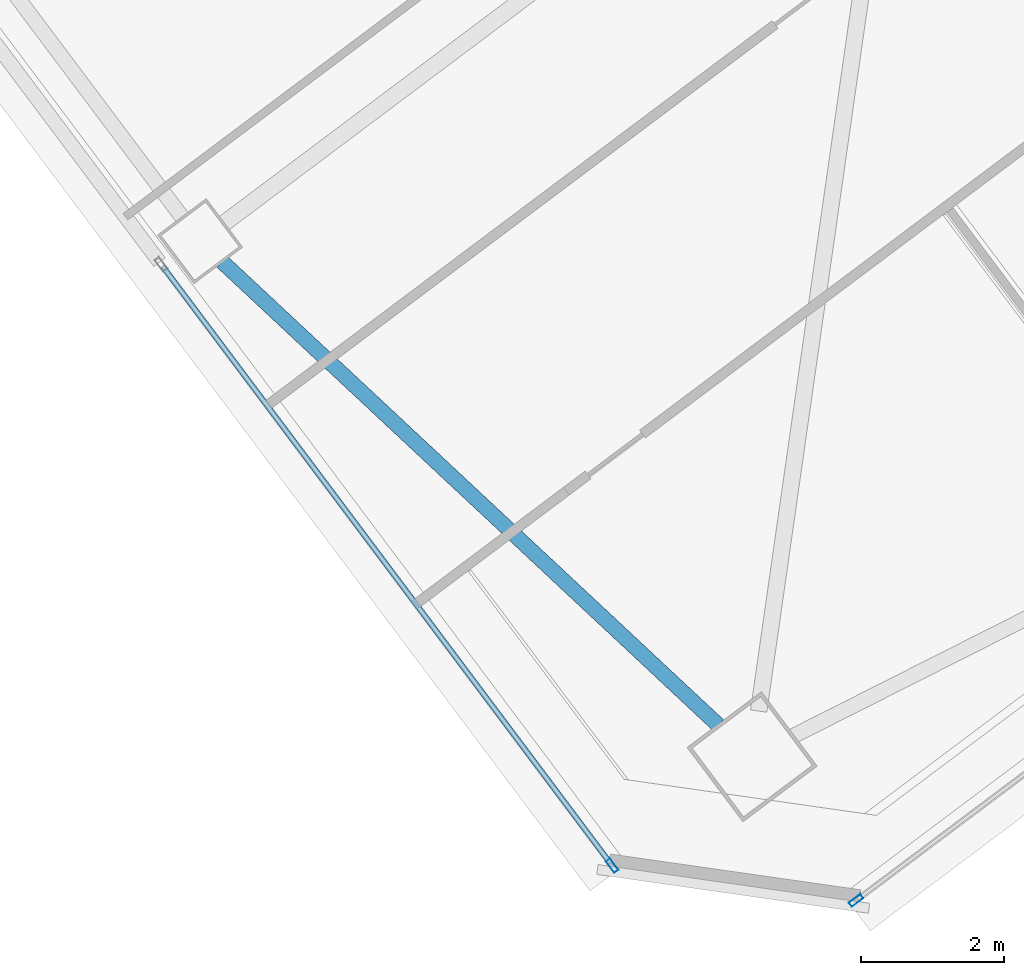
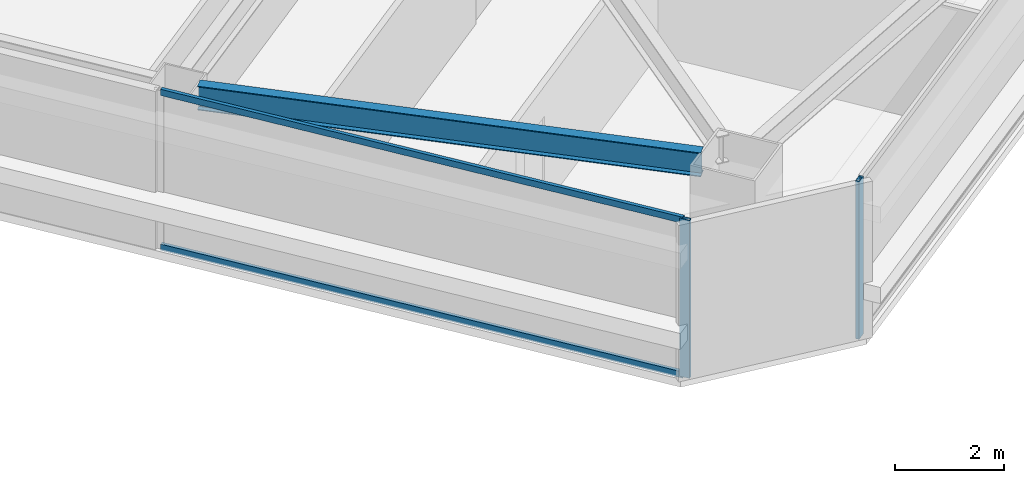
# One storey, part 17 of 41: 4 members, 1 beam, 2 elements without a shape of their own.
"""IFC4 building model written with IfcOpenShell, lengths in metres."""

import ifcopenshell
import ifcopenshell.guid

model = None  # the IFC model being written
_history = None  # IfcOwnerHistory: only IFC2X3 demands one
_inside = {}  # id of a spatial element -> (the spatial element, [elements in it])
_under = {}  # id of a project, library or spatial element -> (it, [spatial elements below it])
_declared = {}  # id of a project -> (the project, [libraries it declares])
_typed = {}  # id of a type object -> (the type object, [elements of that type])
_made_of = {}  # id of a material, layer set ... -> (it, [elements and type objects made of it])


def new_model(schema):
    """Start an empty IFC model of exactly this schema.

    Asked for "IFC4X3", IfcOpenShell would pick the latest addendum, in which some entities
    have other attributes; the version numbers below select the first issue.
    IFC2X3 requires an IfcOwnerHistory on every rooted entity: one is made here for all.
    """
    global model, _history
    if schema == "IFC4X3":
        model = ifcopenshell.file(schema_version=(4, 3, 0, 0))
    else:
        model = ifcopenshell.file(schema=schema)
    _inside.clear()
    _under.clear()
    _declared.clear()
    _typed.clear()
    _made_of.clear()
    _history = None
    if model.schema == "IFC2X3":
        org = make("IfcOrganization", Name="unknown")
        user = make(
            "IfcPersonAndOrganization",
            ThePerson=make("IfcPerson", FamilyName="unknown"),
            TheOrganization=org,
        )
        app = make(
            "IfcApplication",
            ApplicationDeveloper=org,
            Version="unknown",
            ApplicationFullName="unknown",
            ApplicationIdentifier="unknown",
        )
        _history = make(
            "IfcOwnerHistory",
            OwningUser=user,
            OwningApplication=app,
            ChangeAction="ADDED",
            CreationDate=0,
        )
    return model


def make(cls, **values):
    """One entity of the class cls with the attributes given. An attribute that is None is left unset."""
    return model.create_entity(
        cls, **{name: value for name, value in values.items() if value is not None}
    )


def rooted(cls, **values):
    """An entity with a GlobalId (a new one), such as an element, a storey or a relation."""
    return make(cls, GlobalId=ifcopenshell.guid.new(), OwnerHistory=_history, **values)


def si_unit(unit_type, name, prefix=None):
    """IfcSIUnit, for example si_unit("LENGTHUNIT", "METRE", prefix="MILLI")."""
    return make("IfcSIUnit", UnitType=unit_type, Prefix=prefix, Name=name)


def assignment(units):
    """IfcUnitAssignment: the units of a project."""
    return None if units is None else make("IfcUnitAssignment", Units=units)


def point(xyz):
    """IfcCartesianPoint."""
    return None if xyz is None else make("IfcCartesianPoint", Coordinates=xyz)


def direction(xyz):
    """IfcDirection."""
    return None if xyz is None else make("IfcDirection", DirectionRatios=xyz)


def frame(location, z_axis=None, x_axis=None):
    """IfcAxis2Placement3D, a coordinate frame: its origin and axes. An axis left out is left unset."""
    return make(
        "IfcAxis2Placement3D",
        Location=point(location),
        Axis=direction(z_axis),
        RefDirection=direction(x_axis),
    )


def frame_2d(location, x_axis=None):
    """IfcAxis2Placement2D, a coordinate frame in the plane: its origin and x axis."""
    return make(
        "IfcAxis2Placement2D", Location=point(location), RefDirection=direction(x_axis)
    )


def origin():
    """The frame at (0, 0, 0) with its axes left unset."""
    return frame((0.0, 0.0, 0.0))


def origin_2d():
    """The frame at (0, 0) in the plane with its x axis left unset."""
    return frame_2d((0.0, 0.0))


def place(relative_to, where):
    """IfcLocalPlacement: puts the frame where relative to a parent placement (None: the world)."""
    return make(
        "IfcLocalPlacement", PlacementRelTo=relative_to, RelativePlacement=where
    )


def context(
    kind, dimensions, precision=None, world=None, true_north=None, identifier=None
):
    """IfcGeometricRepresentationContext, for example the 3D "Model" context."""
    return make(
        "IfcGeometricRepresentationContext",
        ContextIdentifier=identifier,
        ContextType=kind,
        CoordinateSpaceDimension=dimensions,
        Precision=precision,
        WorldCoordinateSystem=world,
        TrueNorth=true_north,
    )


def subcontext(parent, identifier, kind, view, scale=None):
    """IfcGeometricRepresentationSubContext, for example "Body" below "Model"."""
    return make(
        "IfcGeometricRepresentationSubContext",
        ContextIdentifier=identifier,
        ContextType=kind,
        ParentContext=parent,
        TargetScale=scale,
        TargetView=view,
    )


def project(units=None, contexts=None):
    """IfcProject with its units and contexts."""
    return rooted(
        "IfcProject",
        Name="project",
        RepresentationContexts=contexts,
        UnitsInContext=assignment(units),
    )


def spatial(cls, under=None, at=None, **own):
    """A site, building, storey or space (cls), placed at a placement, below another one or the project."""
    s = rooted(cls, ObjectPlacement=at, **own)
    if under is not None:
        _under.setdefault(under.id(), (under, []))[1].append(s)
    return s


def profile(cls, at=None, kind="AREA", **sizes):
    """A parametric profile (cls). Its sizes go by their IFC names, for example OverallWidth=200.0."""
    return make(cls, ProfileType=kind, Position=at, **sizes)


def hollow_rectangle(**sizes):
    """IfcRectangleHollowProfileDef."""
    return profile("IfcRectangleHollowProfileDef", **sizes)


def i_section(**sizes):
    """IfcIShapeProfileDef."""
    return profile("IfcIShapeProfileDef", **sizes)


def extrude(swept, where, along, depth):
    """IfcExtrudedAreaSolid: the profile swept, set in the frame where, extruded along a direction by depth."""
    return make(
        "IfcExtrudedAreaSolid",
        SweptArea=swept,
        Position=where,
        ExtrudedDirection=direction(along),
        Depth=depth,
    )


def shape(context_of_items, identifier, shape_type, items):
    """IfcShapeRepresentation: the items that make up one representation, for example the "Body"."""
    return make(
        "IfcShapeRepresentation",
        ContextOfItems=context_of_items,
        RepresentationIdentifier=identifier,
        RepresentationType=shape_type,
        Items=items,
    )


def material(Name=None, Category=None):
    """IfcMaterial."""
    return make("IfcMaterial", Name=Name, Category=Category)


def material_profile(
    of_material, cross_section, Name=None, Category=None, Priority=None
):
    """IfcMaterialProfile: a cross section and its material."""
    return make(
        "IfcMaterialProfile",
        Name=Name,
        Material=of_material,
        Profile=cross_section,
        Priority=Priority,
        Category=Category,
    )


def profile_set(profiles, Name=None, composite=None):
    """IfcMaterialProfileSet."""
    return make(
        "IfcMaterialProfileSet",
        Name=Name,
        MaterialProfiles=profiles,
        CompositeProfile=composite,
    )


def made_of(thing, what):
    """Note that an element or type object is made of a material, layer set ...; save() writes the relation."""
    if what is not None:
        _made_of.setdefault(what.id(), (what, []))[1].append(thing)
    return thing


def type_object(cls, material=None, **own):
    """A type object (cls), such as IfcWallType, which elements share."""
    return made_of(rooted(cls, **own), material)


def element(
    cls,
    number,
    at=None,
    inside=None,
    cuts=None,
    type_object=None,
    material=None,
    context=None,
    identifier="Body",
    shape_type=None,
    held_by="IfcProductDefinitionShape",
    body=None,
    shapes=None,
    **own,
):
    """One element of the class cls, such as IfcWall. Its Tag is "e" and its number.

    at: its placement. inside: the storey or other place that contains it. cuts: it is an
    opening in that element (IfcRelVoidsElement). A single representation is given by context,
    identifier, shape_type and body (its items); several are given by shapes. held_by: the class
    of the entity that holds the representations. save() writes the other relations.
    """
    e = rooted(cls, Tag="e%d" % number, ObjectPlacement=at, **own)
    if body is not None:
        shapes = [shape(context, identifier, shape_type, body)]
    if shapes is not None:
        e.Representation = make(held_by, Representations=shapes)
    if inside is not None:
        _inside.setdefault(inside.id(), (inside, []))[1].append(e)
    if cuts is not None:
        rooted(
            "IfcRelVoidsElement", RelatingBuildingElement=cuts, RelatedOpeningElement=e
        )
    if type_object is not None:
        _typed.setdefault(type_object.id(), (type_object, []))[1].append(e)
    return made_of(e, material)


def aggregate(whole, parts):
    """IfcRelAggregates: a whole, such as a stair, and the parts it consists of."""
    return rooted("IfcRelAggregates", RelatingObject=whole, RelatedObjects=parts)


def save(model, path):
    """Write the relations noted so far, then the file.

    IfcRelAggregates (storeys below a building ...), IfcRelContainedInSpatialStructure (elements
    in a storey), IfcRelDefinesByType, IfcRelAssociatesMaterial and IfcRelDeclares: one each for
    every whole, place, type object, material and project.
    """
    for whole, parts in _under.values():
        aggregate(whole, parts)
    for where, things in _inside.values():
        rooted(
            "IfcRelContainedInSpatialStructure",
            RelatedElements=things,
            RelatingStructure=where,
        )
    for kind, things in _typed.values():
        rooted("IfcRelDefinesByType", RelatedObjects=things, RelatingType=kind)
    for what, things in _made_of.values():
        rooted("IfcRelAssociatesMaterial", RelatedObjects=things, RelatingMaterial=what)
    for by, libraries in _declared.values():
        rooted("IfcRelDeclares", RelatingContext=by, RelatedDefinitions=libraries)
    model.write(path)


model = new_model("IFC4")

# Units and contexts
model_context = context("Model", 3, precision=1e-05, world=origin(), true_north=direction((0.0, 1.0)))
body_context = subcontext(model_context, "Body", "Model", "MODEL_VIEW")
ifc_project = project(units=[si_unit("LENGTHUNIT", "METRE"), si_unit("AREAUNIT", "SQUARE_METRE"), si_unit("VOLUMEUNIT", "CUBIC_METRE"), si_unit("PLANEANGLEUNIT", "RADIAN"), si_unit("MASSUNIT", "GRAM", prefix="KILO")], contexts=[model_context])

# Site, building, storey
site_placement = place(None, origin())
site = spatial("IfcSite", under=ifc_project, at=site_placement, CompositionType="ELEMENT")
building_placement = place(site_placement, origin())
building = spatial("IfcBuilding", under=site, at=building_placement, Name="Tashvorn Skyway Center", CompositionType="ELEMENT")
storey_placement = place(building_placement, frame((0.0, 0.0, 117.949951171875)))
storey = spatial("IfcBuildingStorey", under=building, at=storey_placement, Name="L31", CompositionType="ELEMENT", Elevation=117.949951171875)

# Beam
ifc_material_1 = material(Name="Steel ASTM A992 Grade 50", Category="steel")
ifc_material_profile_1 = material_profile(ifc_material_1, i_section(OverallWidth=0.2109375, OverallDepth=0.5390625, WebThickness=0.01171875, FlangeThickness=0.018798828125, at=origin_2d()), Name="W21X73")
ifc_profile_set_1 = profile_set([ifc_material_profile_1], Name="Steel ASTM A992 Grade 50")
beam_type = type_object("IfcBeamType", Name="BM-SPANDREL-W21X73", PredefinedType="SPANDREL", material=ifc_profile_set_1)
beam_placement = place(storey_placement, frame((103.427001953125, 16.80322265625, 3.1005859375), z_axis=(0.730843250868, -0.682545341102, 0.0), x_axis=(0.682545341102, 0.730843250868, 0.0)))
element("IfcBeam", 1, at=beam_placement, inside=storey, type_object=beam_type, Name="Tower 2 L31 Spandrel Beam 12", PredefinedType="SPANDREL", context=body_context, shape_type="SweptSolid", body=[
    extrude(i_section(OverallWidth=0.2109375, OverallDepth=0.5390625, WebThickness=0.01171875, FlangeThickness=0.018798828125, at=origin_2d()), origin(), (0.0, 0.0, 1.0), 9.498046875),
])

# Curtain wall, member
ifc_material_2 = material(Name="Thermally broken bronze-anodized aluminium 6063-T6", Category="aluminium")
curtain_wall_type = type_object("IfcCurtainWallType", Name="CW-CW-Z3", PredefinedType="NOTDEFINED", material=ifc_material_2)
curtain_wall_1_placement = place(storey_placement, origin())
curtain_wall_1 = element("IfcCurtainWall", 2, at=curtain_wall_1_placement, inside=storey, type_object=curtain_wall_type, Name="Tower 2 L31 South Unitised Curtain Wall Glazing Group 2", PredefinedType="NOTDEFINED")
ifc_material_profile_2 = material_profile(ifc_material_2, hollow_rectangle(XDim=0.074951171875, YDim=0.199951171875, WallThickness=0.00439453125, at=origin_2d()), Name="ALU-MULL-75x200")
ifc_profile_set_2 = profile_set([ifc_material_profile_2], Name="Thermally broken bronze-anodized aluminium 6063-T6")
member_type_1 = type_object("IfcMemberType", Name="CWM-CW-Z3", PredefinedType="MULLION", material=ifc_profile_set_2)
member_1_placement = place(storey_placement, frame((112.2939453125, 7.87060546875, 0.0), z_axis=(0.0, 0.0, 1.0), x_axis=(0.600001511345, -0.799998866489, 0.0)))
member_1 = element("IfcMember", 3, at=member_1_placement, type_object=member_type_1, Name="CW-Z3 mullion 2", PredefinedType="MULLION", context=body_context, shape_type="SweptSolid", body=[
    extrude(hollow_rectangle(XDim=0.074951171875, YDim=0.199951171875, WallThickness=0.00439453125, at=origin_2d()), origin(), (0.0, 0.0, 1.0), 3.550048828125),
])
aggregate(curtain_wall_1, [member_1])

# Curtain wall, members
curtain_wall_2_placement = place(storey_placement, origin())
curtain_wall_2 = element("IfcCurtainWall", 4, at=curtain_wall_2_placement, inside=storey, type_object=curtain_wall_type, Name="Tower 2 L31 West Unitised Curtain Wall Glazing Group 1", PredefinedType="NOTDEFINED")
member_2_placement = place(storey_placement, frame((108.881591796875, 8.35791015625, 0.0), z_axis=(0.0, 0.0, 1.0), x_axis=(-0.799998866489, -0.600001511345, 0.0)))
member_2 = element("IfcMember", 5, at=member_2_placement, type_object=member_type_1, Name="CW-Z3 mullion 1", PredefinedType="MULLION", context=body_context, shape_type="SweptSolid", body=[
    extrude(hollow_rectangle(XDim=0.074951171875, YDim=0.199951171875, WallThickness=0.00439453125, at=origin_2d()), origin(), (0.0, 0.0, 1.0), 3.550048828125),
])
ifc_material_profile_3 = material_profile(ifc_material_2, hollow_rectangle(XDim=0.074951171875, YDim=0.139892578125, WallThickness=0.004150390625, at=origin_2d()), Name="ALU-TRAN-75x140")
ifc_profile_set_3 = profile_set([ifc_material_profile_3], Name="Thermally broken bronze-anodized aluminium 6063-T6")
member_type_2 = type_object("IfcMemberType", Name="CWT-CW-Z3", PredefinedType="USERDEFINED", material=ifc_profile_set_3)
member_3_placement = place(storey_placement, frame((108.85888671875, 8.387939453125, 0.03759765625), z_axis=(-0.599996257181, 0.800002807101, 0.0), x_axis=(-0.800002807101, -0.599996257181, 0.0)))
member_3 = element("IfcMember", 6, at=member_3_placement, type_object=member_type_2, Name="CW-Z3 transom 1.1", ObjectType="TRANSOM", PredefinedType="USERDEFINED", context=body_context, shape_type="SweptSolid", body=[
    extrude(hollow_rectangle(XDim=0.074951171875, YDim=0.139892578125, WallThickness=0.004150390625, at=origin_2d()), origin(), (0.0, 0.0, 1.0), 10.436767578125),
])
member_4_placement = place(storey_placement, frame((108.85888671875, 8.387939453125, 3.512451171875), z_axis=(-0.599996257181, 0.800002807101, 0.0), x_axis=(-0.800002807101, -0.599996257181, 0.0)))
member_4 = element("IfcMember", 7, at=member_4_placement, type_object=member_type_2, Name="CW-Z3 transom 1.2", ObjectType="TRANSOM", PredefinedType="USERDEFINED", context=body_context, shape_type="SweptSolid", body=[
    extrude(hollow_rectangle(XDim=0.074951171875, YDim=0.139892578125, WallThickness=0.004150390625, at=origin_2d()), origin(), (0.0, 0.0, 1.0), 10.436767578125),
])
aggregate(curtain_wall_2, [member_2, member_3, member_4])

save(model, "model.ifc")
